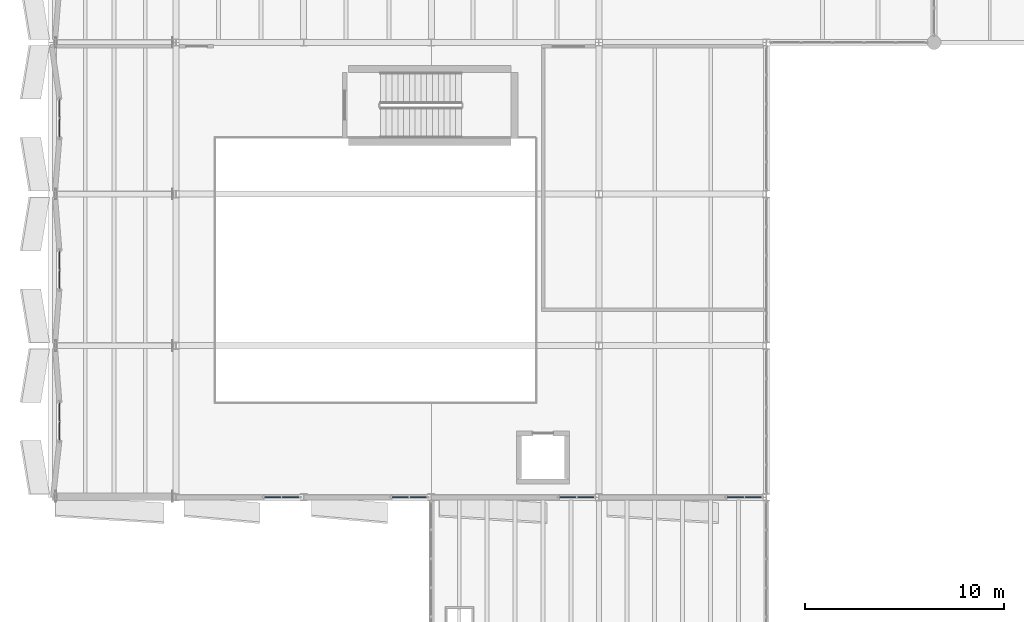
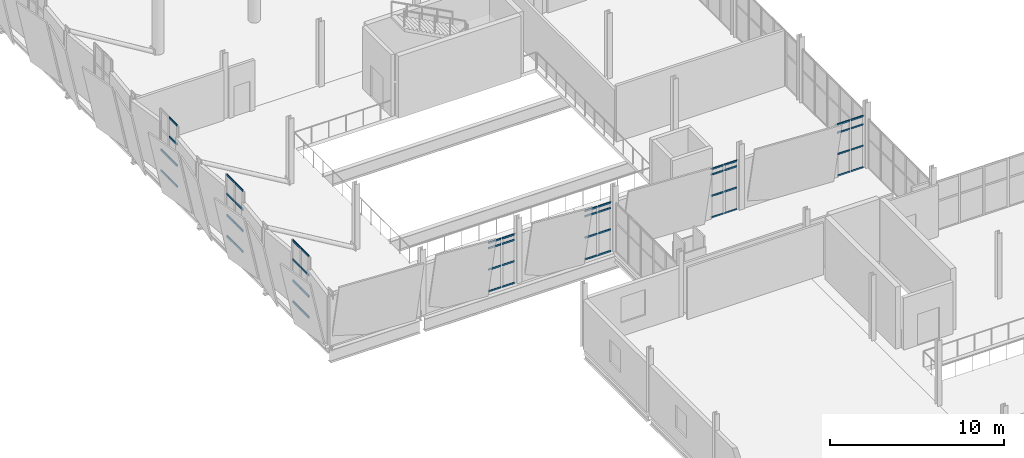
# One storey, part 94 of 136: 54 members, 7 elements without a shape of their own.
"""IFC4 building model written with IfcOpenShell, lengths in metres."""

from ifc_helpers import new_model, si_unit, direction, frame, origin, origin_2d, place, context, subcontext, project, spatial, hollow_rectangle, extrude, material, material_profile, profile_set, type_object, element, aggregate, save


model = new_model("IFC4")

# Units and contexts
model_context = context("Model", 3, precision=1e-05, world=origin(), true_north=direction((0.0, 1.0)))
body_context = subcontext(model_context, "Body", "Model", "MODEL_VIEW")
ifc_project = project(units=[si_unit("LENGTHUNIT", "METRE"), si_unit("AREAUNIT", "SQUARE_METRE"), si_unit("VOLUMEUNIT", "CUBIC_METRE"), si_unit("PLANEANGLEUNIT", "RADIAN"), si_unit("MASSUNIT", "GRAM", prefix="KILO")], contexts=[model_context])

# Site, building, storey
site_placement = place(None, origin())
site = spatial("IfcSite", under=ifc_project, at=site_placement, CompositionType="ELEMENT")
building_placement = place(site_placement, origin())
building = spatial("IfcBuilding", under=site, at=building_placement, Name="Shengluoqiao Park Theatre", CompositionType="ELEMENT")
storey_placement = place(building_placement, frame((0.0, 0.0, 10.0)))
storey = spatial("IfcBuildingStorey", under=building, at=storey_placement, Name="L02", CompositionType="ELEMENT", Elevation=10.0)

# Curtain wall, members
ifc_material = material(Name="Aluminium 6063-T6", Category="aluminium")
curtain_wall_type = type_object("IfcCurtainWallType", Name="ENV-CW-STUDIO", PredefinedType="NOTDEFINED", material=ifc_material)
curtain_wall_1_placement = place(storey_placement, origin())
curtain_wall_1 = element("IfcCurtainWall", 1, at=curtain_wall_1_placement, inside=storey, type_object=curtain_wall_type, Name="L02 Curtain Wall CWX-L02-0023", PredefinedType="NOTDEFINED")
ifc_material_profile_1 = material_profile(ifc_material, hollow_rectangle(XDim=0.06005859375, YDim=0.1201171875, WallThickness=0.00390625, InnerFilletRadius=0.00390625, OuterFilletRadius=0.008056640625, at=origin_2d()), Name="ALU TRANSOM 120x60x4")
ifc_profile_set_1 = profile_set([ifc_material_profile_1], Name="Aluminium 6063-T6")
member_type_1 = type_object("IfcMemberType", Name="ENV-TRN-120", PredefinedType="USERDEFINED", material=ifc_profile_set_1)
member_1_placement = place(storey_placement, frame((10.826904296875, 30.39990234375, 0.030029296875), z_axis=(1.0, 0.0, 0.0), x_axis=(0.0, 1.0, 0.0)))
member_1 = element("IfcMember", 2, at=member_1_placement, type_object=member_type_1, Name="CW-02 transom 1.1", ObjectType="TRANSOM", PredefinedType="USERDEFINED", context=body_context, shape_type="SweptSolid", body=[
    extrude(hollow_rectangle(XDim=0.06005859375, YDim=0.1201171875, WallThickness=0.00390625, InnerFilletRadius=0.00390625, OuterFilletRadius=0.008056640625, at=origin_2d()), origin(), (0.0, 0.0, 1.0), 0.837646484375),
])
member_2_placement = place(storey_placement, frame((10.826904296875, 30.39990234375, 1.550048828125), z_axis=(1.0, 0.0, 0.0), x_axis=(0.0, 1.0, 0.0)))
member_2 = element("IfcMember", 3, at=member_2_placement, type_object=member_type_1, Name="CW-02 transom 1.2", ObjectType="TRANSOM", PredefinedType="USERDEFINED", context=body_context, shape_type="SweptSolid", body=[
    extrude(hollow_rectangle(XDim=0.06005859375, YDim=0.1201171875, WallThickness=0.00390625, InnerFilletRadius=0.00390625, OuterFilletRadius=0.008056640625, at=origin_2d()), origin(), (0.0, 0.0, 1.0), 0.837646484375),
])
member_3_placement = place(storey_placement, frame((10.826904296875, 30.39990234375, 3.050048828125), z_axis=(1.0, 0.0, 0.0), x_axis=(0.0, 1.0, 0.0)))
member_3 = element("IfcMember", 4, at=member_3_placement, type_object=member_type_1, Name="CW-02 transom 1.3", ObjectType="TRANSOM", PredefinedType="USERDEFINED", context=body_context, shape_type="SweptSolid", body=[
    extrude(hollow_rectangle(XDim=0.06005859375, YDim=0.1201171875, WallThickness=0.00390625, InnerFilletRadius=0.00390625, OuterFilletRadius=0.008056640625, at=origin_2d()), origin(), (0.0, 0.0, 1.0), 0.837646484375),
])
member_4_placement = place(storey_placement, frame((10.826904296875, 30.39990234375, 3.427978515625), z_axis=(1.0, 0.0, 0.0), x_axis=(0.0, 1.0, 0.0)))
member_4 = element("IfcMember", 5, at=member_4_placement, type_object=member_type_1, Name="CW-02 transom 1.4", ObjectType="TRANSOM", PredefinedType="USERDEFINED", context=body_context, shape_type="SweptSolid", body=[
    extrude(hollow_rectangle(XDim=0.06005859375, YDim=0.1201171875, WallThickness=0.00390625, InnerFilletRadius=0.00390625, OuterFilletRadius=0.008056640625, at=origin_2d()), origin(), (0.0, 0.0, 1.0), 0.837646484375),
])
member_5_placement = place(storey_placement, frame((11.724609375, 30.39990234375, 0.030029296875), z_axis=(1.0, 0.0, 0.0), x_axis=(0.0, 1.0, 0.0)))
member_5 = element("IfcMember", 6, at=member_5_placement, type_object=member_type_1, Name="CW-02 transom 2.1", ObjectType="TRANSOM", PredefinedType="USERDEFINED", context=body_context, shape_type="SweptSolid", body=[
    extrude(hollow_rectangle(XDim=0.06005859375, YDim=0.1201171875, WallThickness=0.00390625, InnerFilletRadius=0.00390625, OuterFilletRadius=0.008056640625, at=origin_2d()), origin(), (0.0, 0.0, 1.0), 0.83740234375),
])
member_6_placement = place(storey_placement, frame((11.724609375, 30.39990234375, 1.550048828125), z_axis=(1.0, 0.0, 0.0), x_axis=(0.0, 1.0, 0.0)))
member_6 = element("IfcMember", 7, at=member_6_placement, type_object=member_type_1, Name="CW-02 transom 2.2", ObjectType="TRANSOM", PredefinedType="USERDEFINED", context=body_context, shape_type="SweptSolid", body=[
    extrude(hollow_rectangle(XDim=0.06005859375, YDim=0.1201171875, WallThickness=0.00390625, InnerFilletRadius=0.00390625, OuterFilletRadius=0.008056640625, at=origin_2d()), origin(), (0.0, 0.0, 1.0), 0.83740234375),
])
member_7_placement = place(storey_placement, frame((11.724609375, 30.39990234375, 3.050048828125), z_axis=(1.0, 0.0, 0.0), x_axis=(0.0, 1.0, 0.0)))
member_7 = element("IfcMember", 8, at=member_7_placement, type_object=member_type_1, Name="CW-02 transom 2.3", ObjectType="TRANSOM", PredefinedType="USERDEFINED", context=body_context, shape_type="SweptSolid", body=[
    extrude(hollow_rectangle(XDim=0.06005859375, YDim=0.1201171875, WallThickness=0.00390625, InnerFilletRadius=0.00390625, OuterFilletRadius=0.008056640625, at=origin_2d()), origin(), (0.0, 0.0, 1.0), 0.83740234375),
])
member_8_placement = place(storey_placement, frame((11.724609375, 30.39990234375, 3.427978515625), z_axis=(1.0, 0.0, 0.0), x_axis=(0.0, 1.0, 0.0)))
member_8 = element("IfcMember", 9, at=member_8_placement, type_object=member_type_1, Name="CW-02 transom 2.4", ObjectType="TRANSOM", PredefinedType="USERDEFINED", context=body_context, shape_type="SweptSolid", body=[
    extrude(hollow_rectangle(XDim=0.06005859375, YDim=0.1201171875, WallThickness=0.00390625, InnerFilletRadius=0.00390625, OuterFilletRadius=0.008056640625, at=origin_2d()), origin(), (0.0, 0.0, 1.0), 0.83740234375),
])
aggregate(curtain_wall_1, [member_1, member_2, member_3, member_4, member_5, member_6, member_7, member_8])

curtain_wall_2_placement = place(storey_placement, origin())
curtain_wall_2 = element("IfcCurtainWall", 10, at=curtain_wall_2_placement, inside=storey, type_object=curtain_wall_type, Name="L02 Curtain Wall CWX-L02-0024", PredefinedType="NOTDEFINED")
member_9_placement = place(storey_placement, frame((17.22705078125, 30.39990234375, 0.030029296875), z_axis=(1.0, 0.0, 0.0), x_axis=(0.0, 1.0, 0.0)))
member_9 = element("IfcMember", 11, at=member_9_placement, type_object=member_type_1, Name="CW-02 transom 1.1", ObjectType="TRANSOM", PredefinedType="USERDEFINED", context=body_context, shape_type="SweptSolid", body=[
    extrude(hollow_rectangle(XDim=0.06005859375, YDim=0.1201171875, WallThickness=0.00390625, InnerFilletRadius=0.00390625, OuterFilletRadius=0.008056640625, at=origin_2d()), origin(), (0.0, 0.0, 1.0), 0.83740234375),
])
member_10_placement = place(storey_placement, frame((17.22705078125, 30.39990234375, 1.550048828125), z_axis=(1.0, 0.0, 0.0), x_axis=(0.0, 1.0, 0.0)))
member_10 = element("IfcMember", 12, at=member_10_placement, type_object=member_type_1, Name="CW-02 transom 1.2", ObjectType="TRANSOM", PredefinedType="USERDEFINED", context=body_context, shape_type="SweptSolid", body=[
    extrude(hollow_rectangle(XDim=0.06005859375, YDim=0.1201171875, WallThickness=0.00390625, InnerFilletRadius=0.00390625, OuterFilletRadius=0.008056640625, at=origin_2d()), origin(), (0.0, 0.0, 1.0), 0.83740234375),
])
member_11_placement = place(storey_placement, frame((17.22705078125, 30.39990234375, 3.050048828125), z_axis=(1.0, 0.0, 0.0), x_axis=(0.0, 1.0, 0.0)))
member_11 = element("IfcMember", 13, at=member_11_placement, type_object=member_type_1, Name="CW-02 transom 1.3", ObjectType="TRANSOM", PredefinedType="USERDEFINED", context=body_context, shape_type="SweptSolid", body=[
    extrude(hollow_rectangle(XDim=0.06005859375, YDim=0.1201171875, WallThickness=0.00390625, InnerFilletRadius=0.00390625, OuterFilletRadius=0.008056640625, at=origin_2d()), origin(), (0.0, 0.0, 1.0), 0.83740234375),
])
member_12_placement = place(storey_placement, frame((17.22705078125, 30.39990234375, 3.427978515625), z_axis=(1.0, 0.0, 0.0), x_axis=(0.0, 1.0, 0.0)))
member_12 = element("IfcMember", 14, at=member_12_placement, type_object=member_type_1, Name="CW-02 transom 1.4", ObjectType="TRANSOM", PredefinedType="USERDEFINED", context=body_context, shape_type="SweptSolid", body=[
    extrude(hollow_rectangle(XDim=0.06005859375, YDim=0.1201171875, WallThickness=0.00390625, InnerFilletRadius=0.00390625, OuterFilletRadius=0.008056640625, at=origin_2d()), origin(), (0.0, 0.0, 1.0), 0.83740234375),
])
member_13_placement = place(storey_placement, frame((18.12451171875, 30.39990234375, 0.030029296875), z_axis=(1.0, 0.0, 0.0), x_axis=(0.0, 1.0, 0.0)))
member_13 = element("IfcMember", 15, at=member_13_placement, type_object=member_type_1, Name="CW-02 transom 2.1", ObjectType="TRANSOM", PredefinedType="USERDEFINED", context=body_context, shape_type="SweptSolid", body=[
    extrude(hollow_rectangle(XDim=0.06005859375, YDim=0.1201171875, WallThickness=0.00390625, InnerFilletRadius=0.00390625, OuterFilletRadius=0.008056640625, at=origin_2d()), origin(), (0.0, 0.0, 1.0), 0.83740234375),
])
member_14_placement = place(storey_placement, frame((18.12451171875, 30.39990234375, 1.550048828125), z_axis=(1.0, 0.0, 0.0), x_axis=(0.0, 1.0, 0.0)))
member_14 = element("IfcMember", 16, at=member_14_placement, type_object=member_type_1, Name="CW-02 transom 2.2", ObjectType="TRANSOM", PredefinedType="USERDEFINED", context=body_context, shape_type="SweptSolid", body=[
    extrude(hollow_rectangle(XDim=0.06005859375, YDim=0.1201171875, WallThickness=0.00390625, InnerFilletRadius=0.00390625, OuterFilletRadius=0.008056640625, at=origin_2d()), origin(), (0.0, 0.0, 1.0), 0.83740234375),
])
member_15_placement = place(storey_placement, frame((18.12451171875, 30.39990234375, 3.050048828125), z_axis=(1.0, 0.0, 0.0), x_axis=(0.0, 1.0, 0.0)))
member_15 = element("IfcMember", 17, at=member_15_placement, type_object=member_type_1, Name="CW-02 transom 2.3", ObjectType="TRANSOM", PredefinedType="USERDEFINED", context=body_context, shape_type="SweptSolid", body=[
    extrude(hollow_rectangle(XDim=0.06005859375, YDim=0.1201171875, WallThickness=0.00390625, InnerFilletRadius=0.00390625, OuterFilletRadius=0.008056640625, at=origin_2d()), origin(), (0.0, 0.0, 1.0), 0.83740234375),
])
member_16_placement = place(storey_placement, frame((18.12451171875, 30.39990234375, 3.427978515625), z_axis=(1.0, 0.0, 0.0), x_axis=(0.0, 1.0, 0.0)))
member_16 = element("IfcMember", 18, at=member_16_placement, type_object=member_type_1, Name="CW-02 transom 2.4", ObjectType="TRANSOM", PredefinedType="USERDEFINED", context=body_context, shape_type="SweptSolid", body=[
    extrude(hollow_rectangle(XDim=0.06005859375, YDim=0.1201171875, WallThickness=0.00390625, InnerFilletRadius=0.00390625, OuterFilletRadius=0.008056640625, at=origin_2d()), origin(), (0.0, 0.0, 1.0), 0.83740234375),
])
aggregate(curtain_wall_2, [member_9, member_10, member_11, member_12, member_13, member_14, member_15, member_16])

curtain_wall_3_placement = place(storey_placement, origin())
curtain_wall_3 = element("IfcCurtainWall", 19, at=curtain_wall_3_placement, inside=storey, type_object=curtain_wall_type, Name="L02 Curtain Wall CWX-L02-0025", PredefinedType="NOTDEFINED")
member_17_placement = place(storey_placement, frame((25.626953125, 30.39990234375, 0.030029296875), z_axis=(1.0, 0.0, 0.0), x_axis=(0.0, 1.0, 0.0)))
member_17 = element("IfcMember", 20, at=member_17_placement, type_object=member_type_1, Name="CW-02 transom 1.1", ObjectType="TRANSOM", PredefinedType="USERDEFINED", context=body_context, shape_type="SweptSolid", body=[
    extrude(hollow_rectangle(XDim=0.06005859375, YDim=0.1201171875, WallThickness=0.00390625, InnerFilletRadius=0.00390625, OuterFilletRadius=0.008056640625, at=origin_2d()), origin(), (0.0, 0.0, 1.0), 0.837646484375),
])
member_18_placement = place(storey_placement, frame((25.626953125, 30.39990234375, 1.550048828125), z_axis=(1.0, 0.0, 0.0), x_axis=(0.0, 1.0, 0.0)))
member_18 = element("IfcMember", 21, at=member_18_placement, type_object=member_type_1, Name="CW-02 transom 1.2", ObjectType="TRANSOM", PredefinedType="USERDEFINED", context=body_context, shape_type="SweptSolid", body=[
    extrude(hollow_rectangle(XDim=0.06005859375, YDim=0.1201171875, WallThickness=0.00390625, InnerFilletRadius=0.00390625, OuterFilletRadius=0.008056640625, at=origin_2d()), origin(), (0.0, 0.0, 1.0), 0.837646484375),
])
member_19_placement = place(storey_placement, frame((25.626953125, 30.39990234375, 3.050048828125), z_axis=(1.0, 0.0, 0.0), x_axis=(0.0, 1.0, 0.0)))
member_19 = element("IfcMember", 22, at=member_19_placement, type_object=member_type_1, Name="CW-02 transom 1.3", ObjectType="TRANSOM", PredefinedType="USERDEFINED", context=body_context, shape_type="SweptSolid", body=[
    extrude(hollow_rectangle(XDim=0.06005859375, YDim=0.1201171875, WallThickness=0.00390625, InnerFilletRadius=0.00390625, OuterFilletRadius=0.008056640625, at=origin_2d()), origin(), (0.0, 0.0, 1.0), 0.837646484375),
])
member_20_placement = place(storey_placement, frame((25.626953125, 30.39990234375, 3.427978515625), z_axis=(1.0, 0.0, 0.0), x_axis=(0.0, 1.0, 0.0)))
member_20 = element("IfcMember", 23, at=member_20_placement, type_object=member_type_1, Name="CW-02 transom 1.4", ObjectType="TRANSOM", PredefinedType="USERDEFINED", context=body_context, shape_type="SweptSolid", body=[
    extrude(hollow_rectangle(XDim=0.06005859375, YDim=0.1201171875, WallThickness=0.00390625, InnerFilletRadius=0.00390625, OuterFilletRadius=0.008056640625, at=origin_2d()), origin(), (0.0, 0.0, 1.0), 0.837646484375),
])
member_21_placement = place(storey_placement, frame((26.5244140625, 30.39990234375, 0.030029296875), z_axis=(1.0, 0.0, 0.0), x_axis=(0.0, 1.0, 0.0)))
member_21 = element("IfcMember", 24, at=member_21_placement, type_object=member_type_1, Name="CW-02 transom 2.1", ObjectType="TRANSOM", PredefinedType="USERDEFINED", context=body_context, shape_type="SweptSolid", body=[
    extrude(hollow_rectangle(XDim=0.06005859375, YDim=0.1201171875, WallThickness=0.00390625, InnerFilletRadius=0.00390625, OuterFilletRadius=0.008056640625, at=origin_2d()), origin(), (0.0, 0.0, 1.0), 0.837646484375),
])
member_22_placement = place(storey_placement, frame((26.5244140625, 30.39990234375, 1.550048828125), z_axis=(1.0, 0.0, 0.0), x_axis=(0.0, 1.0, 0.0)))
member_22 = element("IfcMember", 25, at=member_22_placement, type_object=member_type_1, Name="CW-02 transom 2.2", ObjectType="TRANSOM", PredefinedType="USERDEFINED", context=body_context, shape_type="SweptSolid", body=[
    extrude(hollow_rectangle(XDim=0.06005859375, YDim=0.1201171875, WallThickness=0.00390625, InnerFilletRadius=0.00390625, OuterFilletRadius=0.008056640625, at=origin_2d()), origin(), (0.0, 0.0, 1.0), 0.837646484375),
])
member_23_placement = place(storey_placement, frame((26.5244140625, 30.39990234375, 3.050048828125), z_axis=(1.0, 0.0, 0.0), x_axis=(0.0, 1.0, 0.0)))
member_23 = element("IfcMember", 26, at=member_23_placement, type_object=member_type_1, Name="CW-02 transom 2.3", ObjectType="TRANSOM", PredefinedType="USERDEFINED", context=body_context, shape_type="SweptSolid", body=[
    extrude(hollow_rectangle(XDim=0.06005859375, YDim=0.1201171875, WallThickness=0.00390625, InnerFilletRadius=0.00390625, OuterFilletRadius=0.008056640625, at=origin_2d()), origin(), (0.0, 0.0, 1.0), 0.837646484375),
])
member_24_placement = place(storey_placement, frame((26.5244140625, 30.39990234375, 3.427978515625), z_axis=(1.0, 0.0, 0.0), x_axis=(0.0, 1.0, 0.0)))
member_24 = element("IfcMember", 27, at=member_24_placement, type_object=member_type_1, Name="CW-02 transom 2.4", ObjectType="TRANSOM", PredefinedType="USERDEFINED", context=body_context, shape_type="SweptSolid", body=[
    extrude(hollow_rectangle(XDim=0.06005859375, YDim=0.1201171875, WallThickness=0.00390625, InnerFilletRadius=0.00390625, OuterFilletRadius=0.008056640625, at=origin_2d()), origin(), (0.0, 0.0, 1.0), 0.837646484375),
])
aggregate(curtain_wall_3, [member_17, member_18, member_19, member_20, member_21, member_22, member_23, member_24])

curtain_wall_4_placement = place(storey_placement, origin())
curtain_wall_4 = element("IfcCurtainWall", 28, at=curtain_wall_4_placement, inside=storey, type_object=curtain_wall_type, Name="L02 Curtain Wall CWX-L02-0026", PredefinedType="NOTDEFINED")
member_25_placement = place(storey_placement, frame((34.027099609375, 30.39990234375, 0.030029296875), z_axis=(1.0, 0.0, 0.0), x_axis=(0.0, 1.0, 0.0)))
member_25 = element("IfcMember", 29, at=member_25_placement, type_object=member_type_1, Name="CW-02 transom 1.1", ObjectType="TRANSOM", PredefinedType="USERDEFINED", context=body_context, shape_type="SweptSolid", body=[
    extrude(hollow_rectangle(XDim=0.06005859375, YDim=0.1201171875, WallThickness=0.00390625, InnerFilletRadius=0.00390625, OuterFilletRadius=0.008056640625, at=origin_2d()), origin(), (0.0, 0.0, 1.0), 0.83740234375),
])
member_26_placement = place(storey_placement, frame((34.027099609375, 30.39990234375, 1.550048828125), z_axis=(1.0, 0.0, 0.0), x_axis=(0.0, 1.0, 0.0)))
member_26 = element("IfcMember", 30, at=member_26_placement, type_object=member_type_1, Name="CW-02 transom 1.2", ObjectType="TRANSOM", PredefinedType="USERDEFINED", context=body_context, shape_type="SweptSolid", body=[
    extrude(hollow_rectangle(XDim=0.06005859375, YDim=0.1201171875, WallThickness=0.00390625, InnerFilletRadius=0.00390625, OuterFilletRadius=0.008056640625, at=origin_2d()), origin(), (0.0, 0.0, 1.0), 0.83740234375),
])
member_27_placement = place(storey_placement, frame((34.027099609375, 30.39990234375, 3.050048828125), z_axis=(1.0, 0.0, 0.0), x_axis=(0.0, 1.0, 0.0)))
member_27 = element("IfcMember", 31, at=member_27_placement, type_object=member_type_1, Name="CW-02 transom 1.3", ObjectType="TRANSOM", PredefinedType="USERDEFINED", context=body_context, shape_type="SweptSolid", body=[
    extrude(hollow_rectangle(XDim=0.06005859375, YDim=0.1201171875, WallThickness=0.00390625, InnerFilletRadius=0.00390625, OuterFilletRadius=0.008056640625, at=origin_2d()), origin(), (0.0, 0.0, 1.0), 0.83740234375),
])
member_28_placement = place(storey_placement, frame((34.027099609375, 30.39990234375, 3.6279296875), z_axis=(1.0, 0.0, 0.0), x_axis=(0.0, 1.0, 0.0)))
member_28 = element("IfcMember", 32, at=member_28_placement, type_object=member_type_1, Name="CW-02 transom 1.4", ObjectType="TRANSOM", PredefinedType="USERDEFINED", context=body_context, shape_type="SweptSolid", body=[
    extrude(hollow_rectangle(XDim=0.06005859375, YDim=0.1201171875, WallThickness=0.00390625, InnerFilletRadius=0.00390625, OuterFilletRadius=0.008056640625, at=origin_2d()), origin(), (0.0, 0.0, 1.0), 0.83740234375),
])
member_29_placement = place(storey_placement, frame((34.924560546875, 30.39990234375, 0.030029296875), z_axis=(1.0, 0.0, 0.0), x_axis=(0.0, 1.0, 0.0)))
member_29 = element("IfcMember", 33, at=member_29_placement, type_object=member_type_1, Name="CW-02 transom 2.1", ObjectType="TRANSOM", PredefinedType="USERDEFINED", context=body_context, shape_type="SweptSolid", body=[
    extrude(hollow_rectangle(XDim=0.06005859375, YDim=0.1201171875, WallThickness=0.00390625, InnerFilletRadius=0.00390625, OuterFilletRadius=0.008056640625, at=origin_2d()), origin(), (0.0, 0.0, 1.0), 0.83740234375),
])
member_30_placement = place(storey_placement, frame((34.924560546875, 30.39990234375, 1.550048828125), z_axis=(1.0, 0.0, 0.0), x_axis=(0.0, 1.0, 0.0)))
member_30 = element("IfcMember", 34, at=member_30_placement, type_object=member_type_1, Name="CW-02 transom 2.2", ObjectType="TRANSOM", PredefinedType="USERDEFINED", context=body_context, shape_type="SweptSolid", body=[
    extrude(hollow_rectangle(XDim=0.06005859375, YDim=0.1201171875, WallThickness=0.00390625, InnerFilletRadius=0.00390625, OuterFilletRadius=0.008056640625, at=origin_2d()), origin(), (0.0, 0.0, 1.0), 0.83740234375),
])
member_31_placement = place(storey_placement, frame((34.924560546875, 30.39990234375, 3.050048828125), z_axis=(1.0, 0.0, 0.0), x_axis=(0.0, 1.0, 0.0)))
member_31 = element("IfcMember", 35, at=member_31_placement, type_object=member_type_1, Name="CW-02 transom 2.3", ObjectType="TRANSOM", PredefinedType="USERDEFINED", context=body_context, shape_type="SweptSolid", body=[
    extrude(hollow_rectangle(XDim=0.06005859375, YDim=0.1201171875, WallThickness=0.00390625, InnerFilletRadius=0.00390625, OuterFilletRadius=0.008056640625, at=origin_2d()), origin(), (0.0, 0.0, 1.0), 0.83740234375),
])
member_32_placement = place(storey_placement, frame((34.924560546875, 30.39990234375, 3.6279296875), z_axis=(1.0, 0.0, 0.0), x_axis=(0.0, 1.0, 0.0)))
member_32 = element("IfcMember", 36, at=member_32_placement, type_object=member_type_1, Name="CW-02 transom 2.4", ObjectType="TRANSOM", PredefinedType="USERDEFINED", context=body_context, shape_type="SweptSolid", body=[
    extrude(hollow_rectangle(XDim=0.06005859375, YDim=0.1201171875, WallThickness=0.00390625, InnerFilletRadius=0.00390625, OuterFilletRadius=0.008056640625, at=origin_2d()), origin(), (0.0, 0.0, 1.0), 0.83740234375),
])
aggregate(curtain_wall_4, [member_25, member_26, member_27, member_28, member_29, member_30, member_31, member_32])

curtain_wall_5_placement = place(storey_placement, origin())
curtain_wall_5 = element("IfcCurtainWall", 37, at=curtain_wall_5_placement, inside=storey, type_object=curtain_wall_type, Name="L02 Curtain Wall CW-L02-SLIT-0238", PredefinedType="NOTDEFINED")
ifc_material_profile_2 = material_profile(ifc_material, hollow_rectangle(XDim=0.06494140625, YDim=0.14990234375, WallThickness=0.00390625, InnerFilletRadius=0.00390625, OuterFilletRadius=0.008056640625, at=origin_2d()), Name="ALU TRANSOM 150x65x4")
ifc_profile_set_2 = profile_set([ifc_material_profile_2], Name="Aluminium 6063-T6")
member_type_2 = type_object("IfcMemberType", Name="ENV-TRN-150", PredefinedType="USERDEFINED", material=ifc_profile_set_2)
member_33_placement = place(storey_placement, frame((0.56005859375, 33.264892578125, 0.032470703125), z_axis=(0.0, 1.0, 0.0), x_axis=(-1.0, 0.0, 0.0)))
member_33 = element("IfcMember", 38, at=member_33_placement, type_object=member_type_2, Name="CW-02 transom 1.1", ObjectType="TRANSOM", PredefinedType="USERDEFINED", context=body_context, shape_type="SweptSolid", body=[
    extrude(hollow_rectangle(XDim=0.06494140625, YDim=0.14990234375, WallThickness=0.00390625, InnerFilletRadius=0.00390625, OuterFilletRadius=0.008056640625, at=origin_2d()), origin(), (0.0, 0.0, 1.0), 0.902587890625),
])
member_34_placement = place(storey_placement, frame((0.56005859375, 33.264892578125, 1.5), z_axis=(0.0, 1.0, 0.0), x_axis=(-1.0, 0.0, 0.0)))
member_34 = element("IfcMember", 39, at=member_34_placement, type_object=member_type_2, Name="CW-02 transom 1.2", ObjectType="TRANSOM", PredefinedType="USERDEFINED", context=body_context, shape_type="SweptSolid", body=[
    extrude(hollow_rectangle(XDim=0.06494140625, YDim=0.14990234375, WallThickness=0.00390625, InnerFilletRadius=0.00390625, OuterFilletRadius=0.008056640625, at=origin_2d()), origin(), (0.0, 0.0, 1.0), 0.902587890625),
])
member_35_placement = place(storey_placement, frame((0.56005859375, 33.264892578125, 3.0), z_axis=(0.0, 1.0, 0.0), x_axis=(-1.0, 0.0, 0.0)))
member_35 = element("IfcMember", 40, at=member_35_placement, type_object=member_type_2, Name="CW-02 transom 1.3", ObjectType="TRANSOM", PredefinedType="USERDEFINED", context=body_context, shape_type="SweptSolid", body=[
    extrude(hollow_rectangle(XDim=0.06494140625, YDim=0.14990234375, WallThickness=0.00390625, InnerFilletRadius=0.00390625, OuterFilletRadius=0.008056640625, at=origin_2d()), origin(), (0.0, 0.0, 1.0), 0.902587890625),
])
member_36_placement = place(storey_placement, frame((0.56005859375, 33.264892578125, 4.327392578125), z_axis=(0.0, 1.0, 0.0), x_axis=(-1.0, 0.0, 0.0)))
member_36 = element("IfcMember", 41, at=member_36_placement, type_object=member_type_2, Name="CW-02 transom 1.4", ObjectType="TRANSOM", PredefinedType="USERDEFINED", context=body_context, shape_type="SweptSolid", body=[
    extrude(hollow_rectangle(XDim=0.06494140625, YDim=0.14990234375, WallThickness=0.00390625, InnerFilletRadius=0.00390625, OuterFilletRadius=0.008056640625, at=origin_2d()), origin(), (0.0, 0.0, 1.0), 0.902587890625),
])
member_37_placement = place(storey_placement, frame((0.56005859375, 34.232421875, 0.032470703125), z_axis=(0.0, 1.0, 0.0), x_axis=(-1.0, 0.0, 0.0)))
member_37 = element("IfcMember", 42, at=member_37_placement, type_object=member_type_2, Name="CW-02 transom 2.1", ObjectType="TRANSOM", PredefinedType="USERDEFINED", context=body_context, shape_type="SweptSolid", body=[
    extrude(hollow_rectangle(XDim=0.06494140625, YDim=0.14990234375, WallThickness=0.00390625, InnerFilletRadius=0.00390625, OuterFilletRadius=0.008056640625, at=origin_2d()), origin(), (0.0, 0.0, 1.0), 0.902587890625),
])
member_38_placement = place(storey_placement, frame((0.56005859375, 34.232421875, 1.5), z_axis=(0.0, 1.0, 0.0), x_axis=(-1.0, 0.0, 0.0)))
member_38 = element("IfcMember", 43, at=member_38_placement, type_object=member_type_2, Name="CW-02 transom 2.2", ObjectType="TRANSOM", PredefinedType="USERDEFINED", context=body_context, shape_type="SweptSolid", body=[
    extrude(hollow_rectangle(XDim=0.06494140625, YDim=0.14990234375, WallThickness=0.00390625, InnerFilletRadius=0.00390625, OuterFilletRadius=0.008056640625, at=origin_2d()), origin(), (0.0, 0.0, 1.0), 0.902587890625),
])
member_39_placement = place(storey_placement, frame((0.56005859375, 34.232421875, 3.0), z_axis=(0.0, 1.0, 0.0), x_axis=(-1.0, 0.0, 0.0)))
member_39 = element("IfcMember", 44, at=member_39_placement, type_object=member_type_2, Name="CW-02 transom 2.3", ObjectType="TRANSOM", PredefinedType="USERDEFINED", context=body_context, shape_type="SweptSolid", body=[
    extrude(hollow_rectangle(XDim=0.06494140625, YDim=0.14990234375, WallThickness=0.00390625, InnerFilletRadius=0.00390625, OuterFilletRadius=0.008056640625, at=origin_2d()), origin(), (0.0, 0.0, 1.0), 0.902587890625),
])
member_40_placement = place(storey_placement, frame((0.56005859375, 34.232421875, 4.327392578125), z_axis=(0.0, 1.0, 0.0), x_axis=(-1.0, 0.0, 0.0)))
member_40 = element("IfcMember", 45, at=member_40_placement, type_object=member_type_2, Name="CW-02 transom 2.4", ObjectType="TRANSOM", PredefinedType="USERDEFINED", context=body_context, shape_type="SweptSolid", body=[
    extrude(hollow_rectangle(XDim=0.06494140625, YDim=0.14990234375, WallThickness=0.00390625, InnerFilletRadius=0.00390625, OuterFilletRadius=0.008056640625, at=origin_2d()), origin(), (0.0, 0.0, 1.0), 0.902587890625),
])
aggregate(curtain_wall_5, [member_33, member_34, member_35, member_36, member_37, member_38, member_39, member_40])

curtain_wall_6_placement = place(storey_placement, origin())
curtain_wall_6 = element("IfcCurtainWall", 46, at=curtain_wall_6_placement, inside=storey, type_object=curtain_wall_type, Name="L02 Curtain Wall CW-L02-SLIT-0239", PredefinedType="NOTDEFINED")
member_41_placement = place(storey_placement, frame((0.56005859375, 40.864990234375, 0.032470703125), z_axis=(0.0, 1.0, 0.0), x_axis=(-1.0, 0.0, 0.0)))
member_41 = element("IfcMember", 47, at=member_41_placement, type_object=member_type_2, Name="CW-02 transom 1.1", ObjectType="TRANSOM", PredefinedType="USERDEFINED", context=body_context, shape_type="SweptSolid", body=[
    extrude(hollow_rectangle(XDim=0.06494140625, YDim=0.14990234375, WallThickness=0.00390625, InnerFilletRadius=0.00390625, OuterFilletRadius=0.008056640625, at=origin_2d()), origin(), (0.0, 0.0, 1.0), 0.902587890625),
])
member_42_placement = place(storey_placement, frame((0.56005859375, 40.864990234375, 1.5), z_axis=(0.0, 1.0, 0.0), x_axis=(-1.0, 0.0, 0.0)))
member_42 = element("IfcMember", 48, at=member_42_placement, type_object=member_type_2, Name="CW-02 transom 1.2", ObjectType="TRANSOM", PredefinedType="USERDEFINED", context=body_context, shape_type="SweptSolid", body=[
    extrude(hollow_rectangle(XDim=0.06494140625, YDim=0.14990234375, WallThickness=0.00390625, InnerFilletRadius=0.00390625, OuterFilletRadius=0.008056640625, at=origin_2d()), origin(), (0.0, 0.0, 1.0), 0.902587890625),
])
member_43_placement = place(storey_placement, frame((0.56005859375, 40.864990234375, 3.0), z_axis=(0.0, 1.0, 0.0), x_axis=(-1.0, 0.0, 0.0)))
member_43 = element("IfcMember", 49, at=member_43_placement, type_object=member_type_2, Name="CW-02 transom 1.3", ObjectType="TRANSOM", PredefinedType="USERDEFINED", context=body_context, shape_type="SweptSolid", body=[
    extrude(hollow_rectangle(XDim=0.06494140625, YDim=0.14990234375, WallThickness=0.00390625, InnerFilletRadius=0.00390625, OuterFilletRadius=0.008056640625, at=origin_2d()), origin(), (0.0, 0.0, 1.0), 0.902587890625),
])
member_44_placement = place(storey_placement, frame((0.56005859375, 40.864990234375, 4.327392578125), z_axis=(0.0, 1.0, 0.0), x_axis=(-1.0, 0.0, 0.0)))
member_44 = element("IfcMember", 50, at=member_44_placement, type_object=member_type_2, Name="CW-02 transom 1.4", ObjectType="TRANSOM", PredefinedType="USERDEFINED", context=body_context, shape_type="SweptSolid", body=[
    extrude(hollow_rectangle(XDim=0.06494140625, YDim=0.14990234375, WallThickness=0.00390625, InnerFilletRadius=0.00390625, OuterFilletRadius=0.008056640625, at=origin_2d()), origin(), (0.0, 0.0, 1.0), 0.902587890625),
])
member_45_placement = place(storey_placement, frame((0.56005859375, 41.83251953125, 0.032470703125), z_axis=(0.0, 1.0, 0.0), x_axis=(-1.0, 0.0, 0.0)))
member_45 = element("IfcMember", 51, at=member_45_placement, type_object=member_type_2, Name="CW-02 transom 2.1", ObjectType="TRANSOM", PredefinedType="USERDEFINED", context=body_context, shape_type="SweptSolid", body=[
    extrude(hollow_rectangle(XDim=0.06494140625, YDim=0.14990234375, WallThickness=0.00390625, InnerFilletRadius=0.00390625, OuterFilletRadius=0.008056640625, at=origin_2d()), origin(), (0.0, 0.0, 1.0), 0.902587890625),
])
member_46_placement = place(storey_placement, frame((0.56005859375, 41.83251953125, 1.5), z_axis=(0.0, 1.0, 0.0), x_axis=(-1.0, 0.0, 0.0)))
member_46 = element("IfcMember", 52, at=member_46_placement, type_object=member_type_2, Name="CW-02 transom 2.2", ObjectType="TRANSOM", PredefinedType="USERDEFINED", context=body_context, shape_type="SweptSolid", body=[
    extrude(hollow_rectangle(XDim=0.06494140625, YDim=0.14990234375, WallThickness=0.00390625, InnerFilletRadius=0.00390625, OuterFilletRadius=0.008056640625, at=origin_2d()), origin(), (0.0, 0.0, 1.0), 0.902587890625),
])
member_47_placement = place(storey_placement, frame((0.56005859375, 41.83251953125, 3.0), z_axis=(0.0, 1.0, 0.0), x_axis=(-1.0, 0.0, 0.0)))
member_47 = element("IfcMember", 53, at=member_47_placement, type_object=member_type_2, Name="CW-02 transom 2.3", ObjectType="TRANSOM", PredefinedType="USERDEFINED", context=body_context, shape_type="SweptSolid", body=[
    extrude(hollow_rectangle(XDim=0.06494140625, YDim=0.14990234375, WallThickness=0.00390625, InnerFilletRadius=0.00390625, OuterFilletRadius=0.008056640625, at=origin_2d()), origin(), (0.0, 0.0, 1.0), 0.902587890625),
])
member_48_placement = place(storey_placement, frame((0.56005859375, 41.83251953125, 4.327392578125), z_axis=(0.0, 1.0, 0.0), x_axis=(-1.0, 0.0, 0.0)))
member_48 = element("IfcMember", 54, at=member_48_placement, type_object=member_type_2, Name="CW-02 transom 2.4", ObjectType="TRANSOM", PredefinedType="USERDEFINED", context=body_context, shape_type="SweptSolid", body=[
    extrude(hollow_rectangle(XDim=0.06494140625, YDim=0.14990234375, WallThickness=0.00390625, InnerFilletRadius=0.00390625, OuterFilletRadius=0.008056640625, at=origin_2d()), origin(), (0.0, 0.0, 1.0), 0.902587890625),
])
aggregate(curtain_wall_6, [member_41, member_42, member_43, member_44, member_45, member_46, member_47, member_48])

curtain_wall_7_placement = place(storey_placement, origin())
curtain_wall_7 = element("IfcCurtainWall", 55, at=curtain_wall_7_placement, inside=storey, type_object=curtain_wall_type, Name="L02 Curtain Wall CW-L02-SLIT-0240", PredefinedType="NOTDEFINED")
member_49_placement = place(storey_placement, frame((0.56005859375, 48.465087890625, 0.032470703125), z_axis=(0.0, 1.0, 0.0), x_axis=(-1.0, 0.0, 0.0)))
member_49 = element("IfcMember", 56, at=member_49_placement, type_object=member_type_2, Name="CW-02 transom 1.1", ObjectType="TRANSOM", PredefinedType="USERDEFINED", context=body_context, shape_type="SweptSolid", body=[
    extrude(hollow_rectangle(XDim=0.06494140625, YDim=0.14990234375, WallThickness=0.00390625, InnerFilletRadius=0.00390625, OuterFilletRadius=0.008056640625, at=origin_2d()), origin(), (0.0, 0.0, 1.0), 0.90234375),
])
member_50_placement = place(storey_placement, frame((0.56005859375, 48.465087890625, 1.5), z_axis=(0.0, 1.0, 0.0), x_axis=(-1.0, 0.0, 0.0)))
member_50 = element("IfcMember", 57, at=member_50_placement, type_object=member_type_2, Name="CW-02 transom 1.2", ObjectType="TRANSOM", PredefinedType="USERDEFINED", context=body_context, shape_type="SweptSolid", body=[
    extrude(hollow_rectangle(XDim=0.06494140625, YDim=0.14990234375, WallThickness=0.00390625, InnerFilletRadius=0.00390625, OuterFilletRadius=0.008056640625, at=origin_2d()), origin(), (0.0, 0.0, 1.0), 0.90234375),
])
member_51_placement = place(storey_placement, frame((0.56005859375, 48.465087890625, 3.0), z_axis=(0.0, 1.0, 0.0), x_axis=(-1.0, 0.0, 0.0)))
member_51 = element("IfcMember", 58, at=member_51_placement, type_object=member_type_2, Name="CW-02 transom 1.3", ObjectType="TRANSOM", PredefinedType="USERDEFINED", context=body_context, shape_type="SweptSolid", body=[
    extrude(hollow_rectangle(XDim=0.06494140625, YDim=0.14990234375, WallThickness=0.00390625, InnerFilletRadius=0.00390625, OuterFilletRadius=0.008056640625, at=origin_2d()), origin(), (0.0, 0.0, 1.0), 0.90234375),
])
member_52_placement = place(storey_placement, frame((0.56005859375, 48.465087890625, 4.327392578125), z_axis=(0.0, 1.0, 0.0), x_axis=(-1.0, 0.0, 0.0)))
member_52 = element("IfcMember", 59, at=member_52_placement, type_object=member_type_2, Name="CW-02 transom 1.4", ObjectType="TRANSOM", PredefinedType="USERDEFINED", context=body_context, shape_type="SweptSolid", body=[
    extrude(hollow_rectangle(XDim=0.06494140625, YDim=0.14990234375, WallThickness=0.00390625, InnerFilletRadius=0.00390625, OuterFilletRadius=0.008056640625, at=origin_2d()), origin(), (0.0, 0.0, 1.0), 0.90234375),
])
member_53_placement = place(storey_placement, frame((0.56005859375, 49.4326171875, 0.032470703125), z_axis=(0.0, 1.0, 0.0), x_axis=(-1.0, 0.0, 0.0)))
member_53 = element("IfcMember", 60, at=member_53_placement, type_object=member_type_2, Name="CW-02 transom 2.1", ObjectType="TRANSOM", PredefinedType="USERDEFINED", context=body_context, shape_type="SweptSolid", body=[
    extrude(hollow_rectangle(XDim=0.06494140625, YDim=0.14990234375, WallThickness=0.00390625, InnerFilletRadius=0.00390625, OuterFilletRadius=0.008056640625, at=origin_2d()), origin(), (0.0, 0.0, 1.0), 0.90234375),
])
member_54_placement = place(storey_placement, frame((0.56005859375, 49.4326171875, 1.5), z_axis=(0.0, 1.0, 0.0), x_axis=(-1.0, 0.0, 0.0)))
member_54 = element("IfcMember", 61, at=member_54_placement, type_object=member_type_2, Name="CW-02 transom 2.2", ObjectType="TRANSOM", PredefinedType="USERDEFINED", context=body_context, shape_type="SweptSolid", body=[
    extrude(hollow_rectangle(XDim=0.06494140625, YDim=0.14990234375, WallThickness=0.00390625, InnerFilletRadius=0.00390625, OuterFilletRadius=0.008056640625, at=origin_2d()), origin(), (0.0, 0.0, 1.0), 0.90234375),
])
aggregate(curtain_wall_7, [member_49, member_50, member_51, member_52, member_53, member_54])

save(model, "model.ifc")
